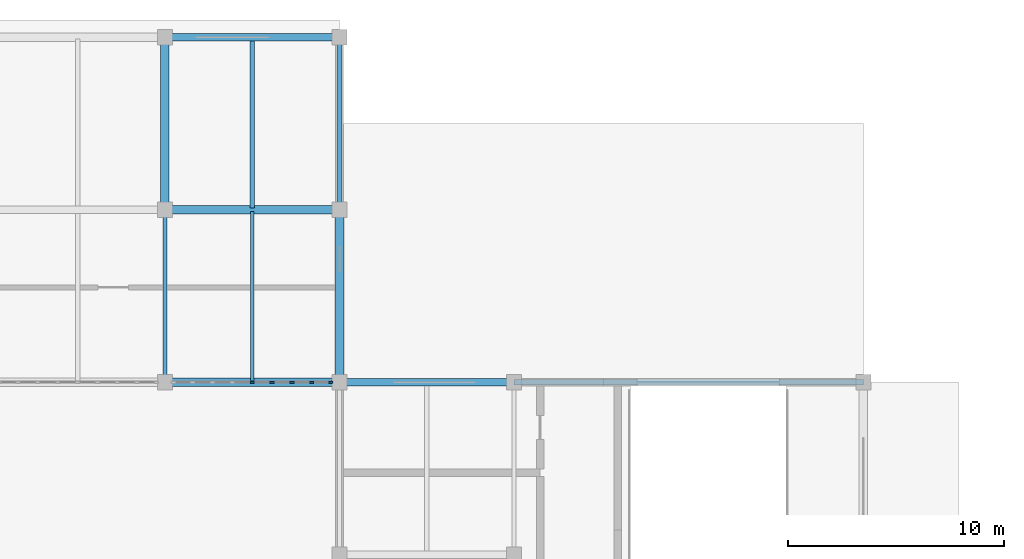
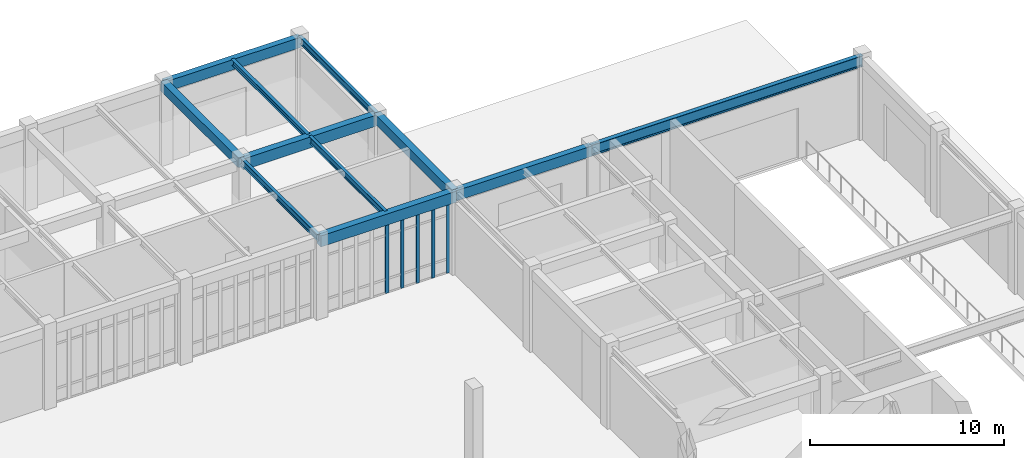
# One storey, part 18 of 62: 11 beams, 5 members, 1 element without a shape of its own.
"""IFC4 building model written with IfcOpenShell, lengths in metres."""

from ifc_helpers import new_model, si_unit, direction, frame, origin, origin_2d, place, context, subcontext, project, spatial, rectangle, i_section, extrude, material, material_profile, profile_set, type_object, element, aggregate, save


model = new_model("IFC4")

# Units and contexts
model_context = context("Model", 3, precision=1e-05, world=origin(), true_north=direction((0.0, 1.0)))
body_context = subcontext(model_context, "Body", "Model", "MODEL_VIEW")
ifc_project = project(units=[si_unit("LENGTHUNIT", "METRE"), si_unit("AREAUNIT", "SQUARE_METRE"), si_unit("VOLUMEUNIT", "CUBIC_METRE"), si_unit("PLANEANGLEUNIT", "RADIAN"), si_unit("MASSUNIT", "GRAM", prefix="KILO")], contexts=[model_context])

# Site, building, storey
site_placement = place(None, origin())
site = spatial("IfcSite", under=ifc_project, at=site_placement, CompositionType="ELEMENT")
building_placement = place(site_placement, origin())
building = spatial("IfcBuilding", under=site, at=building_placement, Name="Tarnveldt Square Police Headquarters", CompositionType="ELEMENT")
storey_placement = place(building_placement, origin())
storey = spatial("IfcBuildingStorey", under=building, at=storey_placement, Name="L00", CompositionType="ELEMENT", Elevation=0.0)

# Beams
ifc_material_1 = material(Name="Concrete 40 MPa", Category="concrete")
ifc_material_profile_1 = material_profile(ifc_material_1, rectangle(XDim=0.39990234375, YDim=0.60009765625, at=origin_2d()), Name="RC-B400x600")
ifc_profile_set_1 = profile_set([ifc_material_profile_1], Name="Concrete 40 MPa")
beam_type_1 = type_object("IfcBeamType", Name="BM-RC400x600", PredefinedType="BEAM", material=ifc_profile_set_1)
for number, where, z_axis, x_axis, name in (
    (1, (97.199951171875, 104.0, 4.820068359375), (0.0, 1.0, 0.0), (-1.0, 0.0, 0.0), "L01 Grid Girder Y-0411"),
    (2, (105.300048828125, 96.0, 4.820068359375), (0.0, 1.0, 0.0), (-1.0, 0.0, 0.0), "L01 Grid Girder Y-0417"),
):
    element("IfcBeam", number, at=place(storey_placement, frame(where, z_axis=z_axis, x_axis=x_axis)), inside=storey, type_object=beam_type_1, Name=name, PredefinedType="BEAM", context=body_context, shape_type="SweptSolid", body=[
        extrude(rectangle(XDim=0.39990234375, YDim=0.60009765625, at=origin_2d()), origin(), (0.0, 0.0, 1.0), 8.0),
    ])
ifc_material_profile_2 = material_profile(ifc_material_1, rectangle(XDim=0.39990234375, YDim=0.699951171875, at=origin_2d()), Name="RC-B400x700")
ifc_profile_set_2 = profile_set([ifc_material_profile_2], Name="Concrete 40 MPa")
beam_type_2 = type_object("IfcBeamType", Name="BM-RC400x700", PredefinedType="BEAM", material=ifc_profile_set_2)
for number, where, z_axis, x_axis, name in (
    (3, (97.199951171875, 96.0, 4.77001953125), (1.0, 0.0, 0.0), (0.0, 1.0, 0.0), "L01 Grid Girder X-0315"),
    (4, (97.199951171875, 104.0, 4.77001953125), (1.0, 0.0, 0.0), (0.0, 1.0, 0.0), "L01 Grid Girder X-0323"),
):
    element("IfcBeam", number, at=place(storey_placement, frame(where, z_axis=z_axis, x_axis=x_axis)), inside=storey, type_object=beam_type_2, Name=name, PredefinedType="BEAM", context=body_context, shape_type="SweptSolid", body=[
        extrude(rectangle(XDim=0.39990234375, YDim=0.699951171875, at=origin_2d()), origin(), (0.0, 0.0, 1.0), 8.10009765625),
    ])
ifc_material_profile_3 = material_profile(ifc_material_1, rectangle(XDim=0.35009765625, YDim=0.64990234375, at=origin_2d()), Name="RC-SP350x650")
ifc_profile_set_3 = profile_set([ifc_material_profile_3], Name="Concrete 40 MPa")
beam_type_3 = type_object("IfcBeamType", Name="BM-SP350x650", PredefinedType="SPANDREL", material=ifc_profile_set_3)
beam_1_placement = place(storey_placement, frame((105.300048828125, 96.0, 4.794921875), z_axis=(1.0, 0.0, 0.0), x_axis=(0.0, 1.0, 0.0)))
element("IfcBeam", 5, at=beam_1_placement, inside=storey, type_object=beam_type_3, Name="L01 Grid Girder X-0316", PredefinedType="SPANDREL", context=body_context, shape_type="SweptSolid", body=[
    extrude(rectangle(XDim=0.35009765625, YDim=0.64990234375, at=origin_2d()), origin(), (0.0, 0.0, 1.0), 8.099853515625),
])
beam_2_placement = place(storey_placement, frame((97.199951171875, 112.0, 4.794921875), z_axis=(1.0, 0.0, 0.0), x_axis=(0.0, 1.0, 0.0)))
element("IfcBeam", 6, at=beam_2_placement, inside=storey, type_object=beam_type_3, Name="L01 Grid Girder X-0334", PredefinedType="SPANDREL", context=body_context, shape_type="SweptSolid", body=[
    extrude(rectangle(XDim=0.35009765625, YDim=0.64990234375, at=origin_2d()), origin(), (0.0, 0.0, 1.0), 8.10009765625),
])
ifc_material_2 = material(Name="Steel 350W", Category="steel")
ifc_material_profile_4 = material_profile(ifc_material_2, i_section(OverallWidth=0.202880859375, OverallDepth=0.346923828125, WebThickness=0.0078125, FlangeThickness=0.013427734375, FilletRadius=0.01611328125, at=origin_2d()), Name="W360x64")
ifc_profile_set_4 = profile_set([ifc_material_profile_4], Name="Steel 350W")
beam_type_4 = type_object("IfcBeamType", Name="BM-W360x64", PredefinedType="JOIST", material=ifc_profile_set_4)
beam_3_placement = place(storey_placement, frame((101.25, 104.080078125, 4.946533203125), z_axis=(0.0, 1.0, 0.0), x_axis=(-1.0, 0.0, 0.0)))
element("IfcBeam", 7, at=beam_3_placement, inside=storey, type_object=beam_type_4, Name="L01 Secondary Floor Joist 0095", PredefinedType="JOIST", context=body_context, shape_type="SweptSolid", body=[
    extrude(i_section(OverallWidth=0.202880859375, OverallDepth=0.346923828125, WebThickness=0.0078125, FlangeThickness=0.013427734375, FilletRadius=0.01611328125, at=origin_2d()), origin(), (0.0, 0.0, 1.0), 7.83984375),
])
ifc_material_profile_5 = material_profile(ifc_material_2, i_section(OverallWidth=0.177978515625, OverallDepth=0.406982421875, WebThickness=0.0078125, FlangeThickness=0.0126953125, FilletRadius=0.01611328125, at=origin_2d()), Name="W410x60")
ifc_profile_set_5 = profile_set([ifc_material_profile_5], Name="Steel 350W")
beam_type_5 = type_object("IfcBeamType", Name="BM-W410x60", PredefinedType="JOIST", material=ifc_profile_set_5)
beam_4_placement = place(storey_placement, frame((101.25, 96.080078125, 4.91650390625), z_axis=(0.0, 1.0, 0.0), x_axis=(-1.0, 0.0, 0.0)))
element("IfcBeam", 8, at=beam_4_placement, inside=storey, type_object=beam_type_5, Name="L01 Secondary Floor Joist 0089", PredefinedType="JOIST", context=body_context, shape_type="SweptSolid", body=[
    extrude(i_section(OverallWidth=0.177978515625, OverallDepth=0.406982421875, WebThickness=0.0078125, FlangeThickness=0.0126953125, FilletRadius=0.01611328125, at=origin_2d()), origin(), (0.0, 0.0, 1.0), 7.83984375),
])
ifc_material_profile_6 = material_profile(ifc_material_2, i_section(OverallWidth=0.180908203125, OverallDepth=0.4169921875, WebThickness=0.010986328125, FlangeThickness=0.018310546875, FilletRadius=0.01611328125, at=origin_2d()), Name="W410x85")
ifc_profile_set_6 = profile_set([ifc_material_profile_6], Name="Steel 350W")
beam_type_6 = type_object("IfcBeamType", Name="BM-W410x85", PredefinedType="BEAM", material=ifc_profile_set_6)
for number, where, z_axis, x_axis, name in (
    (9, (97.199951171875, 96.0, 4.91162109375), (0.0, 1.0, 0.0), (-1.0, 0.0, 0.0), "L01 Grid Girder Y-0410"),
    (10, (105.300048828125, 104.0, 4.91162109375), (0.0, 1.0, 0.0), (-1.0, 0.0, 0.0), "L01 Grid Girder Y-0418"),
):
    element("IfcBeam", number, at=place(storey_placement, frame(where, z_axis=z_axis, x_axis=x_axis)), inside=storey, type_object=beam_type_6, Name=name, PredefinedType="BEAM", context=body_context, shape_type="SweptSolid", body=[
        extrude(i_section(OverallWidth=0.180908203125, OverallDepth=0.4169921875, WebThickness=0.010986328125, FlangeThickness=0.018310546875, FilletRadius=0.01611328125, at=origin_2d()), origin(), (0.0, 0.0, 1.0), 8.0),
    ])
ifc_material_profile_7 = material_profile(ifc_material_2, i_section(OverallWidth=0.25390625, OverallDepth=0.68798828125, WebThickness=0.01318359375, FlangeThickness=0.02099609375, FilletRadius=0.02001953125, at=origin_2d()), Name="W690x152")
ifc_profile_set_7 = profile_set([ifc_material_profile_7], Name="Steel 350W")
beam_type_7 = type_object("IfcBeamType", Name="BM-W690x152", PredefinedType="BEAM", material=ifc_profile_set_7)
beam_5_placement = place(storey_placement, frame((113.39990234375, 96.0, 4.77587890625), z_axis=(1.0, 0.0, 0.0), x_axis=(0.0, 1.0, 0.0)))
element("IfcBeam", 11, at=beam_5_placement, inside=storey, type_object=beam_type_7, Name="L01 Grid Girder X-0317", PredefinedType="BEAM", context=body_context, shape_type="SweptSolid", body=[
    extrude(i_section(OverallWidth=0.25390625, OverallDepth=0.68798828125, WebThickness=0.01318359375, FlangeThickness=0.02099609375, FilletRadius=0.02001953125, at=origin_2d()), origin(), (0.0, 0.0, 1.0), 16.2001953125),
])

# Curtain wall, members
ifc_material_3 = material(Name="Triple-glazed low-e laminated vision glass", Category="glass")
curtain_wall_type = type_object("IfcCurtainWallType", Name="CW-LB-737x441", PredefinedType="USERDEFINED", material=ifc_material_3)
curtain_wall_placement = place(storey_placement, origin())
curtain_wall = element("IfcCurtainWall", 12, at=curtain_wall_placement, inside=storey, type_object=curtain_wall_type, Name="L00 Curtain Wall CW-L00-104", ObjectType="GLAZED CURTAIN WALL", PredefinedType="USERDEFINED")
ifc_material_4 = material(Name="Thermally broken anodised aluminium 6063-T6", Category="aluminium")
ifc_material_profile_8 = material_profile(ifc_material_4, rectangle(XDim=0.074951171875, YDim=0.199951171875, at=origin_2d()), Name="CW-M75x200")
ifc_profile_set_8 = profile_set([ifc_material_profile_8], Name="Thermally broken anodised aluminium 6063-T6")
member_type = type_object("IfcMemberType", Name="CWM-75x200", PredefinedType="MULLION", material=ifc_profile_set_8)
member_1_placement = place(storey_placement, frame((101.25, 96.0, 0.0), z_axis=(0.0, 0.0, 1.0), x_axis=(0.0, 1.0, 0.0)))
member_1 = element("IfcMember", 13, at=member_1_placement, type_object=member_type, Name="CW-LB59 mullion 5", PredefinedType="MULLION", context=body_context, shape_type="SweptSolid", body=[
    extrude(rectangle(XDim=0.074951171875, YDim=0.199951171875, at=origin_2d()), origin(), (0.0, 0.0, 1.0), 4.412109375),
])
member_2_placement = place(storey_placement, frame((102.171142578125, 96.0, 0.0), z_axis=(0.0, 0.0, 1.0), x_axis=(0.0, 1.0, 0.0)))
member_2 = element("IfcMember", 14, at=member_2_placement, type_object=member_type, Name="CW-LB59 mullion 6", PredefinedType="MULLION", context=body_context, shape_type="SweptSolid", body=[
    extrude(rectangle(XDim=0.074951171875, YDim=0.199951171875, at=origin_2d()), origin(), (0.0, 0.0, 1.0), 4.412109375),
])
member_3_placement = place(storey_placement, frame((103.092529296875, 96.0, 0.0), z_axis=(0.0, 0.0, 1.0), x_axis=(0.0, 1.0, 0.0)))
member_3 = element("IfcMember", 15, at=member_3_placement, type_object=member_type, Name="CW-LB59 mullion 7", PredefinedType="MULLION", context=body_context, shape_type="SweptSolid", body=[
    extrude(rectangle(XDim=0.074951171875, YDim=0.199951171875, at=origin_2d()), origin(), (0.0, 0.0, 1.0), 4.412109375),
])
member_4_placement = place(storey_placement, frame((104.013671875, 96.0, 0.0), z_axis=(0.0, 0.0, 1.0), x_axis=(0.0, 1.0, 0.0)))
member_4 = element("IfcMember", 16, at=member_4_placement, type_object=member_type, Name="CW-LB59 mullion 8", PredefinedType="MULLION", context=body_context, shape_type="SweptSolid", body=[
    extrude(rectangle(XDim=0.074951171875, YDim=0.199951171875, at=origin_2d()), origin(), (0.0, 0.0, 1.0), 4.412109375),
])
member_5_placement = place(storey_placement, frame((104.8974609375, 96.0, 0.0), z_axis=(0.0, 0.0, 1.0), x_axis=(0.0, 1.0, 0.0)))
member_5 = element("IfcMember", 17, at=member_5_placement, type_object=member_type, Name="CW-LB59 mullion 9", PredefinedType="MULLION", context=body_context, shape_type="SweptSolid", body=[
    extrude(rectangle(XDim=0.074951171875, YDim=0.199951171875, at=origin_2d()), origin(), (0.0, 0.0, 1.0), 4.412109375),
])
aggregate(curtain_wall, [member_1, member_2, member_3, member_4, member_5])

save(model, "model.ifc")
